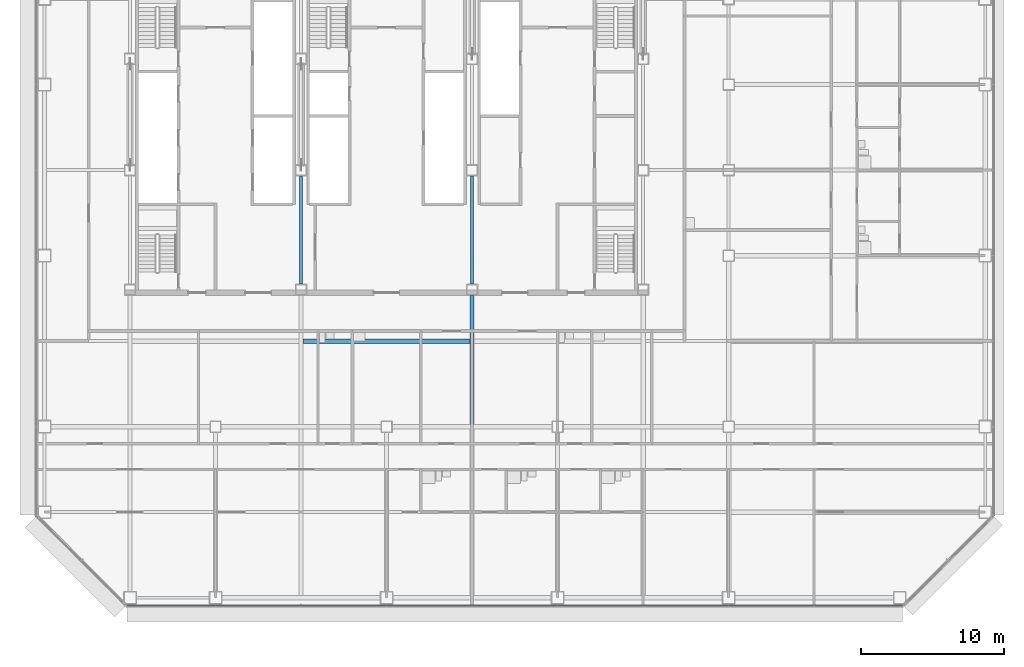
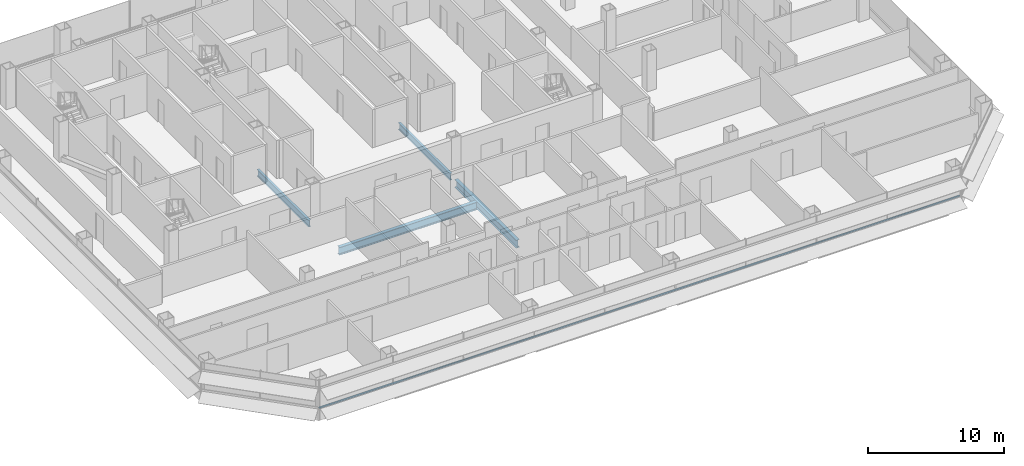
# One storey, part 7 of 26: 4 beams, 1 member, 1 element without a shape of its own.
"""IFC4 building model written with IfcOpenShell, lengths in metres."""

from ifc_helpers import new_model, si_unit, direction, frame, origin, origin_2d, place, context, subcontext, project, spatial, rectangle, i_section, extrude, material, material_profile, profile_set, type_object, element, aggregate, save


model = new_model("IFC4")

# Units and contexts
model_context = context("Model", 3, precision=1e-05, world=origin(), true_north=direction((0.0, 1.0)))
body_context = subcontext(model_context, "Body", "Model", "MODEL_VIEW")
ifc_project = project(units=[si_unit("LENGTHUNIT", "METRE"), si_unit("AREAUNIT", "SQUARE_METRE"), si_unit("VOLUMEUNIT", "CUBIC_METRE"), si_unit("PLANEANGLEUNIT", "RADIAN"), si_unit("MASSUNIT", "GRAM", prefix="KILO")], contexts=[model_context])

# Site, building, storey
site_placement = place(None, origin())
site = spatial("IfcSite", under=ifc_project, at=site_placement, CompositionType="ELEMENT")
building_placement = place(site_placement, origin())
building = spatial("IfcBuilding", under=site, at=building_placement, Name="Sorahane Residences", CompositionType="ELEMENT")
storey_placement = place(building_placement, frame((0.0, 0.0, 67.800048828125)))
storey = spatial("IfcBuildingStorey", under=building, at=storey_placement, Name="L13", CompositionType="ELEMENT", Elevation=67.800048828125)

# Curtain wall, member
ifc_material_1 = material(Name="Dark low-e glass and black anodised aluminium", Category="aluminium")
curtain_wall_type = type_object("IfcCurtainWallType", Name="Curtain wall CW-1 Typical unitised wall", PredefinedType="NOTDEFINED", material=ifc_material_1)
curtain_wall_placement = place(storey_placement, origin())
curtain_wall = element("IfcCurtainWall", 1, at=curtain_wall_placement, inside=storey, type_object=curtain_wall_type, Name="CW-1 curtain wall L13 S1", PredefinedType="NOTDEFINED")
ifc_material_2 = material(Name="Black anodised aluminium", Category="aluminium")
ifc_material_profile_1 = material_profile(ifc_material_2, rectangle(XDim=0.10009765625, YDim=0.06005859375, at=origin_2d()), Name="Curtain wall transom CW-1 black anodised aluminium 60x100")
ifc_profile_set_1 = profile_set([ifc_material_profile_1], Name="Black anodised aluminium")
member_type = type_object("IfcMemberType", Name="Curtain wall transom CW-1 black anodised aluminium 60x100", PredefinedType="USERDEFINED", material=ifc_profile_set_1)
member_placement = place(storey_placement, frame((5.801513671875, -0.530029296875, 0.89990234375), z_axis=(1.0, 0.0, 0.0), x_axis=(0.0, 1.0, 0.0)))
member = element("IfcMember", 2, at=member_placement, type_object=member_type, Name="CW-1 transom L13 S1", ObjectType="TRANSOM", PredefinedType="USERDEFINED", context=body_context, shape_type="SweptSolid", body=[
    extrude(rectangle(XDim=0.10009765625, YDim=0.06005859375, at=origin_2d()), origin(), (0.0, 0.0, 1.0), 54.39697265625),
])
aggregate(curtain_wall, [member])

# Beams
ifc_material_3 = material(Name="Steel Q355B", Category="steel")
ifc_material_profile_2 = material_profile(ifc_material_3, i_section(OverallWidth=0.199951171875, OverallDepth=0.60009765625, WebThickness=0.010986328125, FlangeThickness=0.01708984375, FilletRadius=0.02392578125, at=origin_2d()), Name="HN 600x200x11x17")
ifc_profile_set_2 = profile_set([ifc_material_profile_2], Name="Steel Q355B")
beam_type_1 = type_object("IfcBeamType", Name="Steel floor beam HN 600x200x11x17 Q355B", PredefinedType="BEAM", material=ifc_profile_set_2)
for number, where, z_axis, x_axis, name in (
    (3, (18.0, 22.0, -0.47998046875), (0.0, 1.0, 0.0), (-1.0, 0.0, 0.0), "Beam L13 031"),
    (4, (30.0, 22.0, -0.47998046875), (0.0, 1.0, 0.0), (-1.0, 0.0, 0.0), "Beam L13 039"),
):
    element("IfcBeam", number, at=place(storey_placement, frame(where, z_axis=z_axis, x_axis=x_axis)), inside=storey, type_object=beam_type_1, Name=name, PredefinedType="BEAM", context=body_context, shape_type="SweptSolid", body=[
        extrude(i_section(OverallWidth=0.199951171875, OverallDepth=0.60009765625, WebThickness=0.010986328125, FlangeThickness=0.01708984375, FilletRadius=0.02392578125, at=origin_2d()), origin(), (0.0, 0.0, 1.0), 7.60009765625),
    ])
ifc_material_4 = material(Name="Steel Q355B", Category="steel")
ifc_material_profile_3 = material_profile(ifc_material_4, i_section(OverallWidth=0.300048828125, OverallDepth=0.699951171875, WebThickness=0.012939453125, FlangeThickness=0.02392578125, FilletRadius=0.028076171875, at=origin_2d()), Name="HN 700x300x13x24")
ifc_profile_set_3 = profile_set([ifc_material_profile_3], Name="Steel Q355B")
beam_type_2 = type_object("IfcBeamType", Name="Steel floor beam HN 700x300x13x24 Q355B", PredefinedType="BEAM", material=ifc_profile_set_3)
beam_1_placement = place(storey_placement, frame((30.0, 12.14990234375, -0.530029296875), z_axis=(0.0, 1.0, 0.0), x_axis=(-1.0, 0.0, 0.0)))
element("IfcBeam", 5, at=beam_1_placement, inside=storey, type_object=beam_type_2, Name="Beam L13 038", PredefinedType="BEAM", context=body_context, shape_type="SweptSolid", body=[
    extrude(i_section(OverallWidth=0.300048828125, OverallDepth=0.699951171875, WebThickness=0.012939453125, FlangeThickness=0.02392578125, FilletRadius=0.028076171875, at=origin_2d()), origin(), (0.0, 0.0, 1.0), 9.050048828125),
])
beam_2_placement = place(storey_placement, frame((18.14990234375, 18.0, -0.530029296875), z_axis=(1.0, 0.0, 0.0), x_axis=(0.0, 1.0, 0.0)))
element("IfcBeam", 6, at=beam_2_placement, inside=storey, type_object=beam_type_2, Name="Beam L13 072", PredefinedType="BEAM", context=body_context, shape_type="SweptSolid", body=[
    extrude(i_section(OverallWidth=0.300048828125, OverallDepth=0.699951171875, WebThickness=0.012939453125, FlangeThickness=0.02392578125, FilletRadius=0.028076171875, at=origin_2d()), origin(), (0.0, 0.0, 1.0), 11.7001953125),
])

save(model, "model.ifc")
